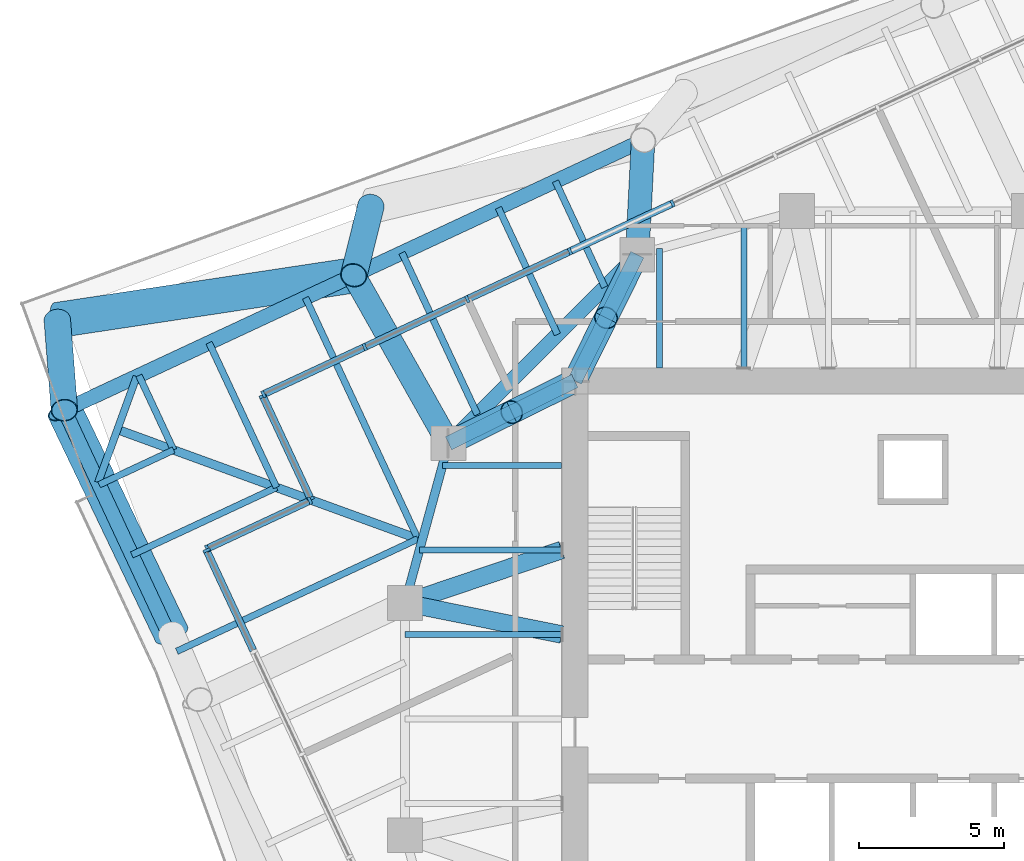
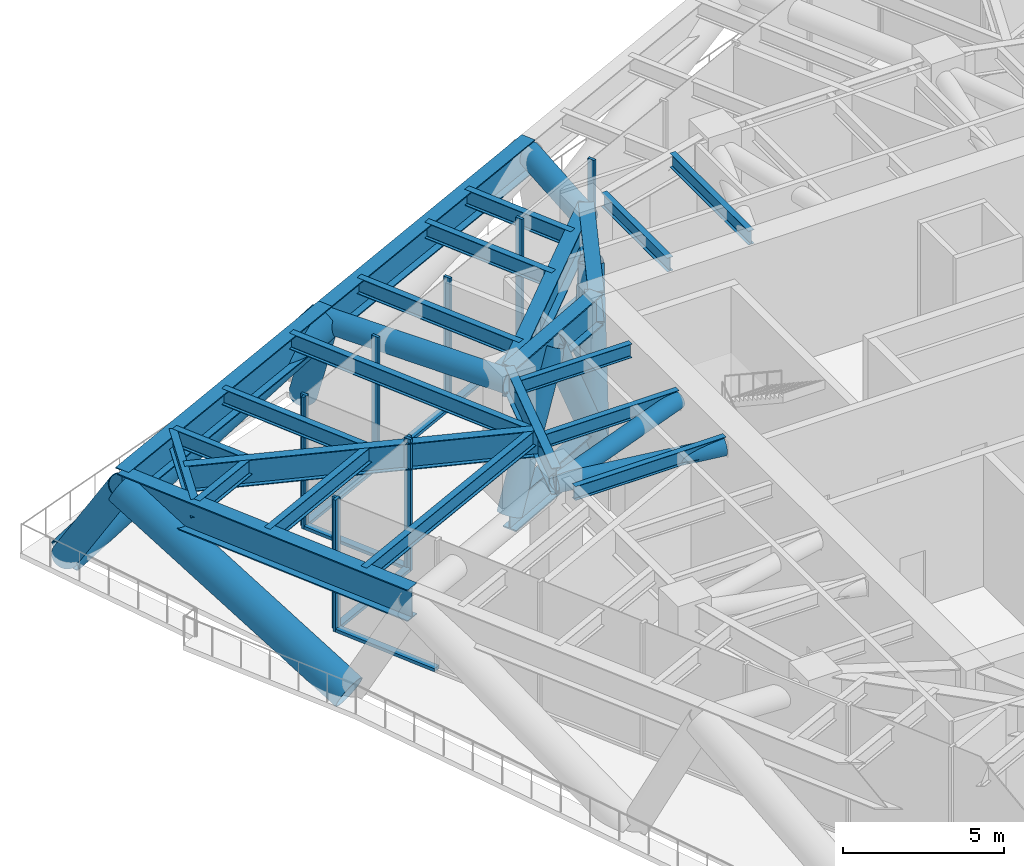
# One storey, part 5 of 16: 33 members, 21 beams, 4 elements without a shape of their own.
"""IFC4 building model written with IfcOpenShell, lengths in metres."""

from ifc_helpers import new_model, si_unit, direction, frame, origin, origin_2d, place, context, subcontext, project, spatial, rectangle, hollow_circle, i_section, extrude, material, material_profile, profile_set, type_object, element, aggregate, save


model = new_model("IFC4")

# Units and contexts
model_context = context("Model", 3, precision=1e-05, world=origin(), true_north=direction((0.0, 1.0)))
body_context = subcontext(model_context, "Body", "Model", "MODEL_VIEW")
ifc_project = project(units=[si_unit("LENGTHUNIT", "METRE"), si_unit("AREAUNIT", "SQUARE_METRE"), si_unit("VOLUMEUNIT", "CUBIC_METRE"), si_unit("PLANEANGLEUNIT", "RADIAN"), si_unit("MASSUNIT", "GRAM", prefix="KILO")], contexts=[model_context])

# Site, building, storey
site_placement = place(None, origin())
site = spatial("IfcSite", under=ifc_project, at=site_placement, CompositionType="ELEMENT")
building_placement = place(site_placement, origin())
building = spatial("IfcBuilding", under=site, at=building_placement, Name="Torsade Residences", CompositionType="ELEMENT")
storey_placement = place(building_placement, frame((0.0, 0.0, 171.0)))
storey = spatial("IfcBuildingStorey", under=building, at=storey_placement, Name="L47", CompositionType="ELEMENT", Elevation=171.0)

# Beams
ifc_material_1 = material(Name="Steel grade 300", Category="steel")
ifc_material_profile_1 = material_profile(ifc_material_1, i_section(OverallWidth=0.300048828125, OverallDepth=1.0, WebThickness=0.01611328125, FlangeThickness=0.028076171875, at=origin_2d()), Name="1000WB215")
ifc_profile_set_1 = profile_set([ifc_material_profile_1], Name="Steel grade 300")
beam_type_1 = type_object("IfcBeamType", Name="CORNER GIRDER 1000WB215", PredefinedType="BEAM", material=ifc_profile_set_1)
beam_1_placement = place(storey_placement, frame((12.5908203125, 39.97607421875, 4.35009765625), z_axis=(0.93969447651, -0.342015044723, 0.0), x_axis=(0.342015044723, 0.93969447651, 0.0)))
element("IfcBeam", 1, at=beam_1_placement, inside=storey, type_object=beam_type_1, Name="Corner girder 13 L48", PredefinedType="BEAM", context=body_context, shape_type="SweptSolid", body=[
    extrude(i_section(OverallWidth=0.300048828125, OverallDepth=1.0, WebThickness=0.01611328125, FlangeThickness=0.028076171875, at=origin_2d()), origin(), (0.0, 0.0, 1.0), 11.170654296875),
])
ifc_material_2 = material(Name="Steel grade 300", Category="steel")
ifc_material_profile_2 = material_profile(ifc_material_2, i_section(OverallWidth=0.25, OverallDepth=0.699951171875, WebThickness=0.010009765625, FlangeThickness=0.02001953125, at=origin_2d()), Name="700WB130")
ifc_profile_set_2 = profile_set([ifc_material_profile_2], Name="Steel grade 300")
beam_type_2 = type_object("IfcBeamType", Name="CORNER TRIMMER 700WB130", PredefinedType="BEAM", material=ifc_profile_set_2)
beam_2_placement = place(storey_placement, frame((11.92578125, 38.14892578125, 4.5), z_axis=(0.342005152204, 0.939698076972, 0.0), x_axis=(-0.939698076972, 0.342005152204, 0.0)))
element("IfcBeam", 2, at=beam_2_placement, inside=storey, type_object=beam_type_2, Name="Corner trimmer 13 L48", PredefinedType="BEAM", context=body_context, shape_type="SweptSolid", body=[
    extrude(i_section(OverallWidth=0.25, OverallDepth=0.699951171875, WebThickness=0.010009765625, FlangeThickness=0.02001953125, at=origin_2d()), origin(), (0.0, 0.0, 1.0), 3.88916015625),
])
ifc_material_3 = material(Name="Steel grade 300", Category="steel")
ifc_material_profile_3 = material_profile(ifc_material_3, i_section(OverallWidth=0.208984375, OverallDepth=0.528076171875, WebThickness=0.009521484375, FlangeThickness=0.01318359375, FilletRadius=0.013916015625, at=origin_2d()), Name="530UB82.0")
ifc_profile_set_3 = profile_set([ifc_material_profile_3], Name="Steel grade 300")
beam_type_3 = type_object("IfcBeamType", Name="INNER FLOOR BEAM 530UB82.0", PredefinedType="JOIST", material=ifc_profile_set_3)
beam_3_placement = place(storey_placement, frame((31.262451171875, 42.10009765625, 4.5859375), z_axis=(0.0, 1.0, 0.0), x_axis=(-1.0, 0.0, 0.0)))
element("IfcBeam", 3, at=beam_3_placement, inside=storey, type_object=beam_type_3, Name="Inner floor beam IN01 L48", PredefinedType="JOIST", context=body_context, shape_type="SweptSolid", body=[
    extrude(i_section(OverallWidth=0.208984375, OverallDepth=0.528076171875, WebThickness=0.009521484375, FlangeThickness=0.01318359375, FilletRadius=0.013916015625, at=origin_2d()), origin(), (0.0, 0.0, 1.0), 4.10791015625),
])
beam_4_placement = place(storey_placement, frame((34.175048828125, 42.10009765625, 4.5859375), z_axis=(0.0, 1.0, 0.0), x_axis=(-1.0, 0.0, 0.0)))
element("IfcBeam", 4, at=beam_4_placement, inside=storey, type_object=beam_type_3, Name="Inner floor beam IN02 L48", PredefinedType="JOIST", context=body_context, shape_type="SweptSolid", body=[
    extrude(i_section(OverallWidth=0.208984375, OverallDepth=0.528076171875, WebThickness=0.009521484375, FlangeThickness=0.01318359375, FilletRadius=0.013916015625, at=origin_2d()), origin(), (0.0, 0.0, 1.0), 4.902099609375),
])
beam_5_placement = place(storey_placement, frame((27.89990234375, 38.737548828125, 4.5859375), z_axis=(-1.0, 0.0, 0.0), x_axis=(0.0, -1.0, 0.0)))
element("IfcBeam", 5, at=beam_5_placement, inside=storey, type_object=beam_type_3, Name="Inner floor beam IW01 L48", PredefinedType="JOIST", context=body_context, shape_type="SweptSolid", body=[
    extrude(i_section(OverallWidth=0.208984375, OverallDepth=0.528076171875, WebThickness=0.009521484375, FlangeThickness=0.01318359375, FilletRadius=0.013916015625, at=origin_2d()), origin(), (0.0, 0.0, 1.0), 4.10791015625),
])
beam_6_placement = place(storey_placement, frame((27.89990234375, 35.824951171875, 4.5859375), z_axis=(-1.0, 0.0, 0.0), x_axis=(0.0, -1.0, 0.0)))
element("IfcBeam", 6, at=beam_6_placement, inside=storey, type_object=beam_type_3, Name="Inner floor beam IW02 L48", PredefinedType="JOIST", context=body_context, shape_type="SweptSolid", body=[
    extrude(i_section(OverallWidth=0.208984375, OverallDepth=0.528076171875, WebThickness=0.009521484375, FlangeThickness=0.01318359375, FilletRadius=0.013916015625, at=origin_2d()), origin(), (0.0, 0.0, 1.0), 4.902099609375),
])
beam_7_placement = place(storey_placement, frame((27.89990234375, 32.91259765625, 4.5859375), z_axis=(-1.0, 0.0, 0.0), x_axis=(0.0, -1.0, 0.0)))
element("IfcBeam", 7, at=beam_7_placement, inside=storey, type_object=beam_type_3, Name="Inner floor beam IW03 L48", PredefinedType="JOIST", context=body_context, shape_type="SweptSolid", body=[
    extrude(i_section(OverallWidth=0.208984375, OverallDepth=0.528076171875, WebThickness=0.009521484375, FlangeThickness=0.01318359375, FilletRadius=0.013916015625, at=origin_2d()), origin(), (0.0, 0.0, 1.0), 5.39990234375),
])

# Members
ifc_material_4 = material(Name="Steel grade 350", Category="steel")
ifc_material_profile_4 = material_profile(ifc_material_4, i_section(OverallWidth=0.5, OverallDepth=1.199951171875, WebThickness=0.031982421875, FlangeThickness=0.050048828125, at=origin_2d()), Name="1200x500x50x32WPG")
ifc_profile_set_4 = profile_set([ifc_material_profile_4], Name="Steel grade 350")
member_type_1 = type_object("IfcMemberType", Name="OUTRIGGER CHORD", PredefinedType="CHORD", material=ifc_profile_set_4)
for number, where, z_axis, x_axis, name in (
    (8, (28.35009765625, 41.64990234375, 4.25), (0.443062937737, 0.896490509266, 0.0), (-0.896490509266, 0.443062937737, 0.0), "Outrigger IR07 top chord L47"),
    (9, (28.35009765625, 41.64990234375, -0.75), (0.443062937737, 0.896490509266, 0.0), (-0.896490509266, 0.443062937737, 0.0), "Outrigger IR07 bottom chord L47"),
    (10, (28.35009765625, 41.64990234375, 4.25), (-0.896490509266, -0.443062937737, 0.0), (0.443062937737, -0.896490509266, 0.0), "Outrigger IR08 top chord L47"),
    (11, (28.35009765625, 41.64990234375, -0.75), (-0.896490509266, -0.443062937737, 0.0), (0.443062937737, -0.896490509266, 0.0), "Outrigger IR08 bottom chord L47"),
):
    element("IfcMember", number, at=place(storey_placement, frame(where, z_axis=z_axis, x_axis=x_axis)), inside=storey, type_object=member_type_1, Name=name, PredefinedType="CHORD", context=body_context, shape_type="SweptSolid", body=[
        extrude(i_section(OverallWidth=0.5, OverallDepth=1.199951171875, WebThickness=0.031982421875, FlangeThickness=0.050048828125, at=origin_2d()), origin(), (0.0, 0.0, 1.0), 4.852294921875),
    ])
ifc_material_5 = material(Name="Steel grade 450", Category="steel")
ifc_material_profile_5 = material_profile(ifc_material_5, hollow_circle(Radius=0.406494140625, WallThickness=0.02490234375, at=origin_2d()), Name="813.0x25.0CHS")
ifc_profile_set_5 = profile_set([ifc_material_profile_5], Name="Steel grade 450")
member_type_2 = type_object("IfcMemberType", Name="OUTRIGGER DIAGONAL", PredefinedType="BRACE", material=ifc_profile_set_5)
for number, where, z_axis, x_axis, name in (
    (12, (28.35009765625, 41.64990234375, -0.75), (0.193421786849, 0.391368316838, 0.899677082595), (-0.896490509266, 0.443062937737, 0.0), "Outrigger IR07 diagonal 1 L47"),
    (13, (30.5, 46.0, -0.75), (-0.193421786849, -0.391368316838, 0.899677082595), (0.896490509266, -0.443062937737, 0.0), "Outrigger IR07 diagonal 2 L47"),
    (14, (28.35009765625, 41.64990234375, -0.75), (-0.391368316838, -0.193421786849, 0.899677082595), (0.443062937737, -0.896490509266, 0.0), "Outrigger IR08 diagonal 1 L47"),
    (15, (24.0, 39.5, -0.75), (0.391368316838, 0.193421786849, 0.899677082595), (-0.443062937737, 0.896490509266, 0.0), "Outrigger IR08 diagonal 2 L47"),
):
    element("IfcMember", number, at=place(storey_placement, frame(where, z_axis=z_axis, x_axis=x_axis)), inside=storey, type_object=member_type_2, Name=name, PredefinedType="BRACE", context=body_context, shape_type="SweptSolid", body=[
        extrude(hollow_circle(Radius=0.406494140625, WallThickness=0.02490234375, at=origin_2d()), origin(), (0.0, 0.0, 1.0), 5.5576171875),
    ])

# Beams
ifc_material_6 = material(Name="Steel grade 300", Category="steel")
ifc_material_profile_6 = material_profile(ifc_material_6, i_section(OverallWidth=0.5, OverallDepth=1.199951171875, WebThickness=0.01611328125, FlangeThickness=0.0400390625, at=origin_2d()), Name="1200WB455")
ifc_profile_set_6 = profile_set([ifc_material_profile_6], Name="Steel grade 300")
beam_type_4 = type_object("IfcBeamType", Name="RING CORNER GIRDER 1200WB455", PredefinedType="BEAM", material=ifc_profile_set_6)
beam_8_placement = place(storey_placement, frame((30.5, 46.0, 4.25), z_axis=(-0.707106781187, -0.707106781187, 0.0), x_axis=(0.707106781187, -0.707106781187, 0.0)))
element("IfcBeam", 16, at=beam_8_placement, inside=storey, type_object=beam_type_4, Name="Ring girder IR07 L48", PredefinedType="BEAM", context=body_context, shape_type="SweptSolid", body=[
    extrude(i_section(OverallWidth=0.5, OverallDepth=1.199951171875, WebThickness=0.01611328125, FlangeThickness=0.0400390625, at=origin_2d()), origin(), (0.0, 0.0, 1.0), 9.1923828125),
])
ifc_material_7 = material(Name="Steel grade 300", Category="steel")
ifc_material_profile_7 = material_profile(ifc_material_7, i_section(OverallWidth=0.300048828125, OverallDepth=1.0, WebThickness=0.01611328125, FlangeThickness=0.028076171875, at=origin_2d()), Name="1000WB215")
ifc_profile_set_7 = profile_set([ifc_material_profile_7], Name="Steel grade 300")
beam_type_5 = type_object("IfcBeamType", Name="RING GIRDER 1000WB215", PredefinedType="BEAM", material=ifc_profile_set_7)
beam_9_placement = place(storey_placement, frame((24.0, 39.5, 4.35009765625), z_axis=(-0.263117405792, -0.964763821238, 0.0), x_axis=(0.964763821238, -0.263117405792, 0.0)))
element("IfcBeam", 17, at=beam_9_placement, inside=storey, type_object=beam_type_5, Name="Ring girder IR08 L48", PredefinedType="BEAM", context=body_context, shape_type="SweptSolid", body=[
    extrude(i_section(OverallWidth=0.300048828125, OverallDepth=1.0, WebThickness=0.01611328125, FlangeThickness=0.028076171875, at=origin_2d()), origin(), (0.0, 0.0, 1.0), 5.700927734375),
])
ifc_material_8 = material(Name="Steel grade 300", Category="steel")
ifc_material_profile_8 = material_profile(ifc_material_8, i_section(OverallWidth=0.22900390625, OverallDepth=0.612060546875, WebThickness=0.011962890625, FlangeThickness=0.01953125, FilletRadius=0.013916015625, at=origin_2d()), Name="610UB125")
ifc_profile_set_8 = profile_set([ifc_material_profile_8], Name="Steel grade 300")
beam_type_6 = type_object("IfcBeamType", Name="SECONDARY BEAM 610UB125", PredefinedType="JOIST", material=ifc_profile_set_8)
beam_10_placement = place(storey_placement, frame((27.681396484375, 48.530029296875, 4.5439453125), z_axis=(0.42261314367, -0.906310173615, 0.0), x_axis=(0.906310173615, 0.42261314367, 0.0)))
element("IfcBeam", 18, at=beam_10_placement, inside=storey, type_object=beam_type_6, Name="Floor beam FN07 L48", PredefinedType="JOIST", context=body_context, shape_type="SweptSolid", body=[
    extrude(i_section(OverallWidth=0.22900390625, OverallDepth=0.612060546875, WebThickness=0.011962890625, FlangeThickness=0.01953125, FilletRadius=0.013916015625, at=origin_2d()), origin(), (0.0, 0.0, 1.0), 4.02490234375),
])
beam_11_placement = place(storey_placement, frame((25.7177734375, 47.6142578125, 4.5439453125), z_axis=(0.422618876857, -0.906307500203, 0.0), x_axis=(0.906307500203, 0.422618876857, 0.0)))
element("IfcBeam", 19, at=beam_11_placement, inside=storey, type_object=beam_type_6, Name="Floor beam FN08 L48", PredefinedType="JOIST", context=body_context, shape_type="SweptSolid", body=[
    extrude(i_section(OverallWidth=0.22900390625, OverallDepth=0.612060546875, WebThickness=0.011962890625, FlangeThickness=0.01953125, FilletRadius=0.013916015625, at=origin_2d()), origin(), (0.0, 0.0, 1.0), 4.813232421875),
])
beam_12_placement = place(storey_placement, frame((22.39453125, 46.064697265625, 4.5439453125), z_axis=(0.42264848683, -0.906293692233, 0.0), x_axis=(0.906293692233, 0.42264848683, 0.0)))
element("IfcBeam", 20, at=beam_12_placement, inside=storey, type_object=beam_type_6, Name="Floor beam FN09 L48", PredefinedType="JOIST", context=body_context, shape_type="SweptSolid", body=[
    extrude(i_section(OverallWidth=0.22900390625, OverallDepth=0.612060546875, WebThickness=0.011962890625, FlangeThickness=0.01953125, FilletRadius=0.013916015625, at=origin_2d()), origin(), (0.0, 0.0, 1.0), 6.14794921875),
])
beam_13_placement = place(storey_placement, frame((19.071533203125, 44.51513671875, 4.5439453125), z_axis=(0.422618627092, -0.90630761667, 0.0), x_axis=(0.90630761667, 0.422618627092, 0.0)))
element("IfcBeam", 21, at=beam_13_placement, inside=storey, type_object=beam_type_6, Name="Floor beam FN10 L48", PredefinedType="JOIST", context=body_context, shape_type="SweptSolid", body=[
    extrude(i_section(OverallWidth=0.22900390625, OverallDepth=0.612060546875, WebThickness=0.011962890625, FlangeThickness=0.01953125, FilletRadius=0.013916015625, at=origin_2d()), origin(), (0.0, 0.0, 1.0), 9.166748046875),
])
beam_14_placement = place(storey_placement, frame((15.748291015625, 42.965576171875, 4.5439453125), z_axis=(0.422632720171, -0.90630104482, 0.0), x_axis=(0.90630104482, 0.422632720171, 0.0)))
element("IfcBeam", 22, at=beam_14_placement, inside=storey, type_object=beam_type_6, Name="Floor beam FN11 L48", PredefinedType="JOIST", context=body_context, shape_type="SweptSolid", body=[
    extrude(i_section(OverallWidth=0.22900390625, OverallDepth=0.612060546875, WebThickness=0.011962890625, FlangeThickness=0.01953125, FilletRadius=0.013916015625, at=origin_2d()), origin(), (0.0, 0.0, 1.0), 5.5),
])
for number, where, z_axis, x_axis, name in (
    (23, (13.33154296875, 41.838623046875, 4.5439453125), (0.42257409885, -0.906328379221, 0.0), (0.906328379221, 0.42257409885, 0.0), "Floor beam FN12 L48"),
    (24, (11.9609375, 38.0732421875, 4.5439453125), (0.906295375613, 0.422644877104, 0.0), (-0.422644877104, 0.906295375613, 0.0), "Floor beam FW01 L48"),
):
    element("IfcBeam", number, at=place(storey_placement, frame(where, z_axis=z_axis, x_axis=x_axis)), inside=storey, type_object=beam_type_6, Name=name, PredefinedType="JOIST", context=body_context, shape_type="SweptSolid", body=[
        extrude(i_section(OverallWidth=0.22900390625, OverallDepth=0.612060546875, WebThickness=0.011962890625, FlangeThickness=0.01953125, FilletRadius=0.013916015625, at=origin_2d()), origin(), (0.0, 0.0, 1.0), 2.833251953125),
    ])
beam_15_placement = place(storey_placement, frame((13.088134765625, 35.656494140625, 4.5439453125), z_axis=(0.90630104482, 0.422632720171, 0.0), x_axis=(-0.422632720171, 0.90630104482, 0.0)))
element("IfcBeam", 25, at=beam_15_placement, inside=storey, type_object=beam_type_6, Name="Floor beam FW02 L48", PredefinedType="JOIST", context=body_context, shape_type="SweptSolid", body=[
    extrude(i_section(OverallWidth=0.22900390625, OverallDepth=0.612060546875, WebThickness=0.011962890625, FlangeThickness=0.01953125, FilletRadius=0.013916015625, at=origin_2d()), origin(), (0.0, 0.0, 1.0), 5.5),
])
beam_16_placement = place(storey_placement, frame((14.6376953125, 32.333251953125, 4.5439453125), z_axis=(0.90630761667, 0.422618627092, 0.0), x_axis=(-0.422618627092, 0.90630761667, 0.0)))
element("IfcBeam", 26, at=beam_16_placement, inside=storey, type_object=beam_type_6, Name="Floor beam FW03 L48", PredefinedType="JOIST", context=body_context, shape_type="SweptSolid", body=[
    extrude(i_section(OverallWidth=0.22900390625, OverallDepth=0.612060546875, WebThickness=0.011962890625, FlangeThickness=0.01953125, FilletRadius=0.013916015625, at=origin_2d()), origin(), (0.0, 0.0, 1.0), 9.166748046875),
])

# Members
ifc_material_9 = material(Name="Steel grade 450", Category="steel")
ifc_material_profile_9 = material_profile(ifc_material_9, hollow_circle(Radius=0.304931640625, WallThickness=0.01611328125, at=origin_2d()), Name="610.0x16.0CHS")
ifc_profile_set_9 = profile_set([ifc_material_profile_9], Name="Steel grade 450")
member_type_3 = type_object("IfcMemberType", Name="TRANSFER FLOOR BRACE 610.0x16.0CHS", PredefinedType="BRACE", material=ifc_profile_set_9)
member_1_placement = place(storey_placement, frame((22.5, 34.0, 4.25), z_axis=(0.97976207845, -0.197299045909, 0.03375434957), x_axis=(0.197411538983, 0.980320704809, 0.0)))
element("IfcMember", 27, at=member_1_placement, inside=storey, type_object=member_type_3, Name="Transfer floor brace TT5 top IR09IW03", PredefinedType="BRACE", context=body_context, shape_type="SweptSolid", body=[
    extrude(hollow_circle(Radius=0.304931640625, WallThickness=0.01611328125, at=origin_2d()), origin(), (0.0, 0.0, 1.0), 5.511474609375),
])
member_2_placement = place(storey_placement, frame((22.5, 34.0, 4.25), z_axis=(0.946855969774, 0.319999474368, 0.032620682203), x_axis=(-0.320169867513, 0.947360151124, 0.0)))
element("IfcMember", 28, at=member_2_placement, inside=storey, type_object=member_type_3, Name="Transfer floor brace TT5 top IR09IW02", PredefinedType="BRACE", context=body_context, shape_type="SweptSolid", body=[
    extrude(hollow_circle(Radius=0.304931640625, WallThickness=0.01611328125, at=origin_2d()), origin(), (0.0, 0.0, 1.0), 5.702880859375),
])
ifc_material_10 = material(Name="Steel grade 450", Category="steel")
ifc_material_profile_10 = material_profile(ifc_material_10, hollow_circle(Radius=0.406494140625, WallThickness=0.02490234375, at=origin_2d()), Name="813.0x25.0CHS")
ifc_profile_set_10 = profile_set([ifc_material_profile_10], Name="Steel grade 450")
member_type_4 = type_object("IfcMemberType", Name="TRANSFER FLOOR STRUT 813.0x25.0CHS", PredefinedType="STRUT", material=ifc_profile_set_10)
member_3_placement = place(storey_placement, frame((30.702392578125, 49.938720703125, 4.25), z_axis=(-0.051317652886, -0.998682381191, 0.0), x_axis=(0.998682381191, -0.051317652886, 0.0)))
element("IfcMember", 29, at=member_3_placement, inside=storey, type_object=member_type_4, Name="Transfer floor strut TT5 top 11IR07", PredefinedType="STRUT", context=body_context, shape_type="SweptSolid", body=[
    extrude(hollow_circle(Radius=0.406494140625, WallThickness=0.02490234375, at=origin_2d()), origin(), (0.0, 0.0, 1.0), 3.94384765625),
])
member_4_placement = place(storey_placement, frame((20.73291015625, 45.2900390625, 4.25), z_axis=(0.491425472703, -0.870919631641, 0.0), x_axis=(0.870919631641, 0.491425472703, 0.0)))
element("IfcMember", 30, at=member_4_placement, inside=storey, type_object=member_type_4, Name="Transfer floor strut TT5 top 12IR08", PredefinedType="STRUT", context=body_context, shape_type="SweptSolid", body=[
    extrude(hollow_circle(Radius=0.406494140625, WallThickness=0.02490234375, at=origin_2d()), origin(), (0.0, 0.0, 1.0), 6.648193359375),
])

# Curtain wall, members
ifc_material_11 = material(Name="Aluminium and glass", Category="aluminium")
curtain_wall_type = type_object("IfcCurtainWallType", Name="TRANSFER LEVEL CURTAIN WALL LOW ZONE", PredefinedType="NOTDEFINED", material=ifc_material_11)
curtain_wall_1_placement = place(storey_placement, origin())
curtain_wall_1 = element("IfcCurtainWall", 31, at=curtain_wall_1_placement, inside=storey, type_object=curtain_wall_type, Name="Curtain wall L47 face 7", PredefinedType="NOTDEFINED")
ifc_material_12 = material(Name="Aluminium mullion", Category="aluminium")
ifc_material_profile_11 = material_profile(ifc_material_12, rectangle(XDim=0.25, YDim=0.10009765625, at=origin_2d()), Name="TRANSFER LEVEL CURTAIN WALL MULLION 250x100")
ifc_profile_set_11 = profile_set([ifc_material_profile_11], Name="Aluminium mullion")
member_type_5 = type_object("IfcMemberType", Name="TRANSFER LEVEL CURTAIN WALL MULLION 250x100", PredefinedType="MULLION", material=ifc_profile_set_11)
member_5_placement = place(storey_placement, frame((31.716796875, 47.763671875, 0.0), z_axis=(0.0, 0.0, 1.0), x_axis=(0.42261826734, -0.906307784426, 0.0)))
member_5 = element("IfcMember", 32, at=member_5_placement, type_object=member_type_5, Name="Mullion 5", PredefinedType="MULLION", context=body_context, shape_type="SweptSolid", body=[
    extrude(rectangle(XDim=0.25, YDim=0.10009765625, at=origin_2d()), origin(), (0.0, 0.0, 1.0), 5.0),
])
member_6_placement = place(storey_placement, frame((28.18212890625, 46.115478515625, 0.0), z_axis=(0.0, 0.0, 1.0), x_axis=(0.42261826734, -0.906307784426, 0.0)))
member_6 = element("IfcMember", 33, at=member_6_placement, type_object=member_type_5, Name="Mullion 6", PredefinedType="MULLION", context=body_context, shape_type="SweptSolid", body=[
    extrude(rectangle(XDim=0.25, YDim=0.10009765625, at=origin_2d()), origin(), (0.0, 0.0, 1.0), 5.0),
])
member_7_placement = place(storey_placement, frame((24.6474609375, 44.46728515625, 0.0), z_axis=(0.0, 0.0, 1.0), x_axis=(0.42261826734, -0.906307784426, 0.0)))
member_7 = element("IfcMember", 34, at=member_7_placement, type_object=member_type_5, Name="Mullion 7", PredefinedType="MULLION", context=body_context, shape_type="SweptSolid", body=[
    extrude(rectangle(XDim=0.25, YDim=0.10009765625, at=origin_2d()), origin(), (0.0, 0.0, 1.0), 5.0),
])
member_8_placement = place(storey_placement, frame((21.11279296875, 42.819091796875, 0.0), z_axis=(0.0, 0.0, 1.0), x_axis=(0.42261826734, -0.906307784426, 0.0)))
member_8 = element("IfcMember", 35, at=member_8_placement, type_object=member_type_5, Name="Mullion 8", PredefinedType="MULLION", context=body_context, shape_type="SweptSolid", body=[
    extrude(rectangle(XDim=0.25, YDim=0.10009765625, at=origin_2d()), origin(), (0.0, 0.0, 1.0), 5.0),
])
member_9_placement = place(storey_placement, frame((17.62353515625, 41.19189453125, 0.0), z_axis=(0.0, 0.0, 1.0), x_axis=(0.42261826734, -0.906307784426, 0.0)))
member_9 = element("IfcMember", 36, at=member_9_placement, type_object=member_type_5, Name="Mullion 9", PredefinedType="MULLION", context=body_context, shape_type="SweptSolid", body=[
    extrude(rectangle(XDim=0.25, YDim=0.10009765625, at=origin_2d()), origin(), (0.0, 0.0, 1.0), 5.0),
])

curtain_wall_2_placement = place(storey_placement, origin())
curtain_wall_2 = element("IfcCurtainWall", 37, at=curtain_wall_2_placement, inside=storey, type_object=curtain_wall_type, Name="Curtain wall L47 face 8", PredefinedType="NOTDEFINED")
member_10_placement = place(storey_placement, frame((17.599365234375, 41.12548828125, 0.0), z_axis=(0.0, 0.0, 1.0), x_axis=(0.90630778492, 0.42261826628, 0.0)))
member_10 = element("IfcMember", 38, at=member_10_placement, type_object=member_type_5, Name="Mullion 1", PredefinedType="MULLION", context=body_context, shape_type="SweptSolid", body=[
    extrude(rectangle(XDim=0.25, YDim=0.10009765625, at=origin_2d()), origin(), (0.0, 0.0, 1.0), 5.0),
])
member_11_placement = place(storey_placement, frame((19.24755859375, 37.5908203125, 0.0), z_axis=(0.0, 0.0, 1.0), x_axis=(0.90630778492, 0.42261826628, 0.0)))
member_11 = element("IfcMember", 39, at=member_11_placement, type_object=member_type_5, Name="Mullion 2", PredefinedType="MULLION", context=body_context, shape_type="SweptSolid", body=[
    extrude(rectangle(XDim=0.25, YDim=0.10009765625, at=origin_2d()), origin(), (0.0, 0.0, 1.0), 5.0),
])

curtain_wall_3_placement = place(storey_placement, origin())
curtain_wall_3 = element("IfcCurtainWall", 40, at=curtain_wall_3_placement, inside=storey, type_object=curtain_wall_type, Name="Curtain wall L47 face 9", PredefinedType="NOTDEFINED")
member_12_placement = place(storey_placement, frame((19.223388671875, 37.5244140625, 0.0), z_axis=(0.0, 0.0, 1.0), x_axis=(0.422618170534, -0.906307829567, 0.0)))
member_12 = element("IfcMember", 41, at=member_12_placement, type_object=member_type_5, Name="Mullion 1", PredefinedType="MULLION", context=body_context, shape_type="SweptSolid", body=[
    extrude(rectangle(XDim=0.25, YDim=0.10009765625, at=origin_2d()), origin(), (0.0, 0.0, 1.0), 5.0),
])
member_13_placement = place(storey_placement, frame((15.688720703125, 35.876220703125, 0.0), z_axis=(0.0, 0.0, 1.0), x_axis=(0.422618170534, -0.906307829567, 0.0)))
member_13 = element("IfcMember", 42, at=member_13_placement, type_object=member_type_5, Name="Mullion 2", PredefinedType="MULLION", context=body_context, shape_type="SweptSolid", body=[
    extrude(rectangle(XDim=0.25, YDim=0.10009765625, at=origin_2d()), origin(), (0.0, 0.0, 1.0), 5.0),
])

# Curtain wall, member
curtain_wall_4_placement = place(storey_placement, origin())
curtain_wall_4 = element("IfcCurtainWall", 43, at=curtain_wall_4_placement, inside=storey, type_object=curtain_wall_type, Name="Curtain wall L47 face 10", PredefinedType="NOTDEFINED")
member_14_placement = place(storey_placement, frame((15.66455078125, 35.809814453125, 0.0), z_axis=(0.0, 0.0, 1.0), x_axis=(0.906307784426, 0.42261826734, 0.0)))
member_14 = element("IfcMember", 44, at=member_14_placement, type_object=member_type_5, Name="Mullion 1", PredefinedType="MULLION", context=body_context, shape_type="SweptSolid", body=[
    extrude(rectangle(XDim=0.25, YDim=0.10009765625, at=origin_2d()), origin(), (0.0, 0.0, 1.0), 5.0),
])

# Member
ifc_material_13 = material(Name="Aluminium transom", Category="aluminium")
ifc_material_profile_12 = material_profile(ifc_material_13, rectangle(XDim=0.25, YDim=0.1201171875, at=origin_2d()), Name="TRANSFER LEVEL CURTAIN WALL TRANSOM 250x120")
ifc_profile_set_12 = profile_set([ifc_material_profile_12], Name="Aluminium transom")
member_type_6 = type_object("IfcMemberType", Name="TRANSFER LEVEL CURTAIN WALL TRANSOM 250x120", PredefinedType="USERDEFINED", material=ifc_profile_set_12)
member_15_placement = place(storey_placement, frame((31.67138671875, 47.742431640625, 0.06005859375), z_axis=(-0.906312760975, -0.422607594931, 0.0), x_axis=(0.422607594931, -0.906312760975, 0.0)))
member_15 = element("IfcMember", 45, at=member_15_placement, type_object=member_type_6, Name="Transom 5.1", ObjectType="TRANSOM", PredefinedType="USERDEFINED", context=body_context, shape_type="SweptSolid", body=[
    extrude(rectangle(XDim=0.25, YDim=0.1201171875, at=origin_2d()), origin(), (0.0, 0.0, 1.0), 3.800048828125),
])

member_16_placement = place(storey_placement, frame((28.13671875, 46.09423828125, 0.06005859375), z_axis=(-0.906301285889, -0.422632203217, 0.0), x_axis=(0.422632203217, -0.906301285889, 0.0)))
member_16 = element("IfcMember", 46, at=member_16_placement, type_object=member_type_6, Name="Transom 6.1", ObjectType="TRANSOM", PredefinedType="USERDEFINED", context=body_context, shape_type="SweptSolid", body=[
    extrude(rectangle(XDim=0.25, YDim=0.1201171875, at=origin_2d()), origin(), (0.0, 0.0, 1.0), 3.7998046875),
])

member_17_placement = place(storey_placement, frame((24.60205078125, 44.446044921875, 0.06005859375), z_axis=(-0.906301285889, -0.422632203217, 0.0), x_axis=(0.422632203217, -0.906301285889, 0.0)))
member_17 = element("IfcMember", 47, at=member_17_placement, type_object=member_type_6, Name="Transom 7.1", ObjectType="TRANSOM", PredefinedType="USERDEFINED", context=body_context, shape_type="SweptSolid", body=[
    extrude(rectangle(XDim=0.25, YDim=0.1201171875, at=origin_2d()), origin(), (0.0, 0.0, 1.0), 3.7998046875),
])

member_18_placement = place(storey_placement, frame((21.067626953125, 42.7978515625, 0.06005859375), z_axis=(-0.906319479626, -0.422593185996, 0.0), x_axis=(0.422593185996, -0.906319479626, 0.0)))
member_18 = element("IfcMember", 48, at=member_18_placement, type_object=member_type_6, Name="Transom 8.1", ObjectType="TRANSOM", PredefinedType="USERDEFINED", context=body_context, shape_type="SweptSolid", body=[
    extrude(rectangle(XDim=0.25, YDim=0.1201171875, at=origin_2d()), origin(), (0.0, 0.0, 1.0), 3.75),
])

aggregate(curtain_wall_1, [member_5, member_6, member_7, member_8, member_9, member_15, member_16, member_17, member_18])

member_19_placement = place(storey_placement, frame((17.62060546875, 41.080078125, 0.06005859375), z_axis=(0.422632203217, -0.906301285889, 0.0), x_axis=(0.906301285889, 0.422632203217, 0.0)))
member_19 = element("IfcMember", 49, at=member_19_placement, type_object=member_type_6, Name="Transom 1.1", ObjectType="TRANSOM", PredefinedType="USERDEFINED", context=body_context, shape_type="SweptSolid", body=[
    extrude(rectangle(XDim=0.25, YDim=0.1201171875, at=origin_2d()), origin(), (0.0, 0.0, 1.0), 3.7998046875),
])

aggregate(curtain_wall_2, [member_10, member_11, member_19])

member_20_placement = place(storey_placement, frame((19.17822265625, 37.503173828125, 0.06005859375), z_axis=(-0.906337367115, -0.42255482126, 0.0), x_axis=(0.42255482126, -0.906337367115, 0.0)))
member_20 = element("IfcMember", 50, at=member_20_placement, type_object=member_type_6, Name="Transom 1.1", ObjectType="TRANSOM", PredefinedType="USERDEFINED", context=body_context, shape_type="SweptSolid", body=[
    extrude(rectangle(XDim=0.25, YDim=0.1201171875, at=origin_2d()), origin(), (0.0, 0.0, 1.0), 3.800048828125),
])

aggregate(curtain_wall_3, [member_12, member_13, member_20])

member_21_placement = place(storey_placement, frame((15.685791015625, 35.764404296875, 0.06005859375), z_axis=(0.422593185996, -0.906319479626, 0.0), x_axis=(0.906319479626, 0.422593185996, 0.0)))
member_21 = element("IfcMember", 51, at=member_21_placement, type_object=member_type_6, Name="Transom 1.1", ObjectType="TRANSOM", PredefinedType="USERDEFINED", context=body_context, shape_type="SweptSolid", body=[
    extrude(rectangle(XDim=0.25, YDim=0.1201171875, at=origin_2d()), origin(), (0.0, 0.0, 1.0), 3.75),
])

aggregate(curtain_wall_4, [member_14, member_21])

# Beams
ifc_material_14 = material(Name="Steel grade 300", Category="steel")
ifc_material_profile_13 = material_profile(ifc_material_14, i_section(OverallWidth=0.5, OverallDepth=1.199951171875, WebThickness=0.01611328125, FlangeThickness=0.0400390625, at=origin_2d()), Name="1200WB455")
ifc_profile_set_13 = profile_set([ifc_material_profile_13], Name="Steel grade 300")
beam_type_7 = type_object("IfcBeamType", Name="TRANSFER TRUSS CHORD 1200WB455", PredefinedType="USERDEFINED", material=ifc_profile_set_13)
for number, where, z_axis, x_axis, name in (
    (52, (30.702392578125, 49.938720703125, 4.25), (-0.906313510001, -0.422605988587, 0.0), (0.422605988587, -0.906313510001, 0.0), "Transfer truss TT5 top chord 11"),
    (53, (20.73291015625, 45.2900390625, 4.25), (-0.90630104482, -0.422632720171, 0.0), (0.422632720171, -0.90630104482, 0.0), "Transfer truss TT5 top chord 12"),
):
    element("IfcBeam", number, at=place(storey_placement, frame(where, z_axis=z_axis, x_axis=x_axis)), inside=storey, type_object=beam_type_7, Name=name, ObjectType="TRANSFER TRUSS CHORD", PredefinedType="USERDEFINED", context=body_context, shape_type="SweptSolid", body=[
        extrude(i_section(OverallWidth=0.5, OverallDepth=1.199951171875, WebThickness=0.01611328125, FlangeThickness=0.0400390625, at=origin_2d()), origin(), (0.0, 0.0, 1.0), 11.0),
    ])
beam_17_placement = place(storey_placement, frame((10.763671875, 40.64111328125, 4.25), z_axis=(0.422614489543, -0.906309546032, 0.0), x_axis=(0.906309546032, 0.422614489543, 0.0)))
element("IfcBeam", 54, at=beam_17_placement, inside=storey, type_object=beam_type_7, Name="Transfer truss TT5 top chord 13", ObjectType="TRANSFER TRUSS CHORD", PredefinedType="USERDEFINED", context=body_context, shape_type="SweptSolid", body=[
    extrude(i_section(OverallWidth=0.5, OverallDepth=1.199951171875, WebThickness=0.01611328125, FlangeThickness=0.0400390625, at=origin_2d()), origin(), (0.0, 0.0, 1.0), 10.999755859375),
])

# Members
ifc_material_15 = material(Name="Steel grade 450", Category="steel")
ifc_material_profile_14 = material_profile(ifc_material_15, hollow_circle(Radius=0.609619140625, WallThickness=0.0400390625, at=origin_2d()), Name="1219.0x40.0CHS")
ifc_profile_set_14 = profile_set([ifc_material_profile_14], Name="Steel grade 450")
member_type_7 = type_object("IfcMemberType", Name="TRANSFER TRUSS DIAGONAL 1219.0x40.0CHS", PredefinedType="BRACE", material=ifc_profile_set_14)
member_22_placement = place(storey_placement, frame((10.5205078125, 43.74658203125, -0.199951171875), z_axis=(0.90807412981, 0.137242281823, 0.395684130147), x_axis=(-0.149438452053, 0.988771029636, 0.0)))
element("IfcMember", 55, at=member_22_placement, inside=storey, type_object=member_type_7, Name="Transfer truss TT5 diagonal 12", PredefinedType="BRACE", context=body_context, shape_type="SweptSolid", body=[
    extrude(hollow_circle(Radius=0.609619140625, WallThickness=0.0400390625, at=origin_2d()), origin(), (0.0, 0.0, 1.0), 11.246337890625),
])
member_23_placement = place(storey_placement, frame((14.453857421875, 32.93994140625, -0.199951171875), z_axis=(-0.38321608835, 0.799746496256, 0.462115755365), x_axis=(-0.901814171889, -0.432124055545, 0.0)))
element("IfcMember", 56, at=member_23_placement, inside=storey, type_object=member_type_7, Name="Transfer truss TT5 diagonal 13", PredefinedType="BRACE", context=body_context, shape_type="SweptSolid", body=[
    extrude(hollow_circle(Radius=0.609619140625, WallThickness=0.0400390625, at=origin_2d()), origin(), (0.0, 0.0, 1.0), 9.62939453125),
])
ifc_material_16 = material(Name="Steel grade 450", Category="steel")
ifc_material_profile_15 = material_profile(ifc_material_16, hollow_circle(Radius=0.45703125, WallThickness=0.028076171875, at=origin_2d()), Name="914.0x28.0CHS")
ifc_profile_set_15 = profile_set([ifc_material_profile_15], Name="Steel grade 450")
member_type_8 = type_object("IfcMemberType", Name="TRANSFER TRUSS RAKING STRUT 914.0x28.0CHS", PredefinedType="STRUT", material=ifc_profile_set_15)
member_24_placement = place(storey_placement, frame((21.3271484375, 47.6796875, -0.199951171875), z_axis=(-0.116842088697, -0.469864570325, 0.874971549173), x_axis=(0.970445013069, -0.241322350001, 0.0)))
element("IfcMember", 57, at=member_24_placement, inside=storey, type_object=member_type_8, Name="Transfer truss TT5 raking strut 12", PredefinedType="STRUT", context=body_context, shape_type="SweptSolid", body=[
    extrude(hollow_circle(Radius=0.45703125, WallThickness=0.028076171875, at=origin_2d()), origin(), (0.0, 0.0, 1.0), 5.0859375),
])
member_25_placement = place(storey_placement, frame((10.5205078125, 43.74658203125, -0.199951171875), z_axis=(0.044766240301, -0.571713430351, 0.819231186714), x_axis=(0.99694843241, 0.078062943292, 0.0)))
element("IfcMember", 58, at=member_25_placement, inside=storey, type_object=member_type_8, Name="Transfer truss TT5 raking strut 13", PredefinedType="STRUT", context=body_context, shape_type="SweptSolid", body=[
    extrude(hollow_circle(Radius=0.45703125, WallThickness=0.028076171875, at=origin_2d()), origin(), (0.0, 0.0, 1.0), 5.431884765625),
])

save(model, "model.ifc")
